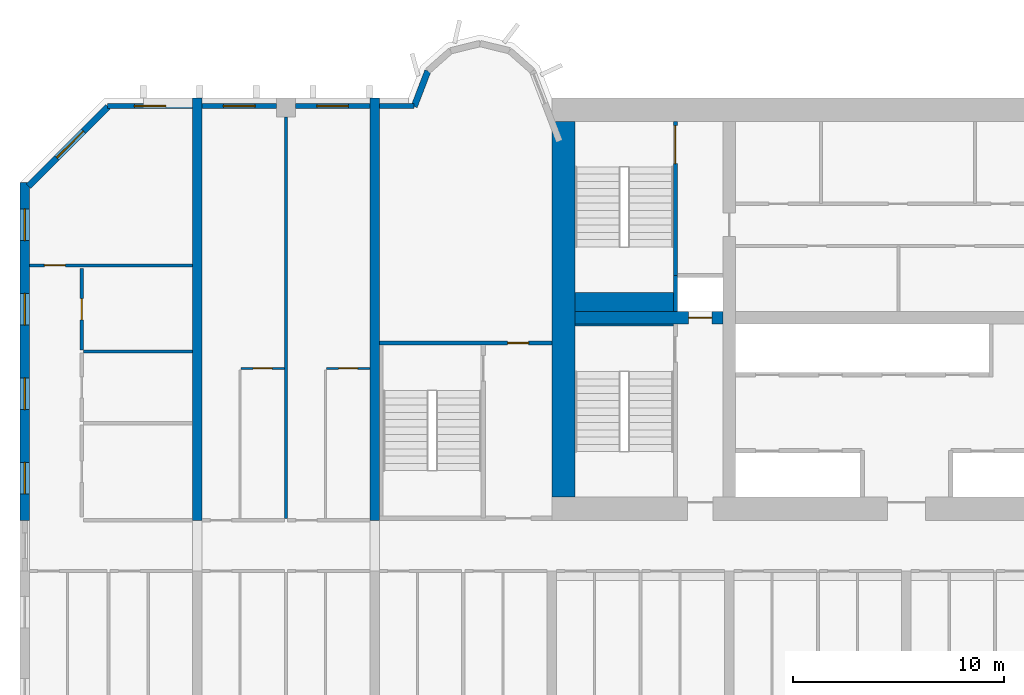
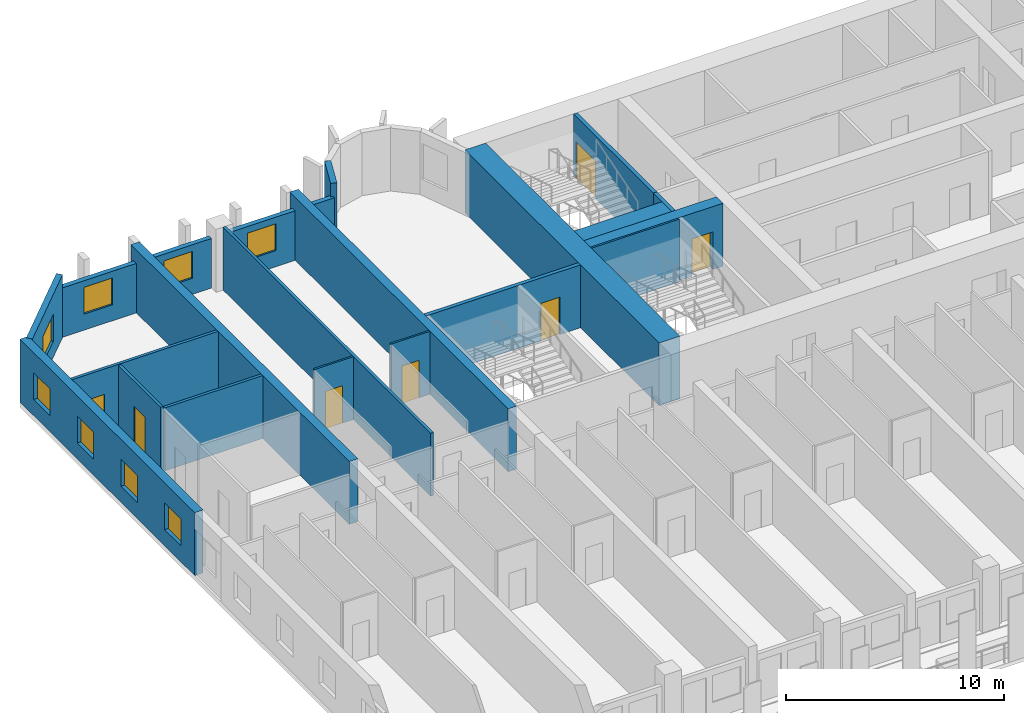
# One storey, part 6 of 15: 22 walls, 8 windows, 7 doors, 15 openings.
"""IFC4 building model written with IfcOpenShell, lengths in metres."""

from ifc_helpers import new_model, si_unit, direction, frame, frame_2d, origin, place, context, subcontext, project, spatial, rectangle, extrude, source, transform, mapped, material, layer, layer_set, type_object, element, fill, save


model = new_model("IFC4")

# Units and contexts
model_context = context("Model", 3, precision=1e-05, world=origin(), true_north=direction((0.0, 1.0)))
body_context = subcontext(model_context, "Body", "Model", "MODEL_VIEW")
ifc_project = project(units=[si_unit("LENGTHUNIT", "METRE"), si_unit("AREAUNIT", "SQUARE_METRE"), si_unit("VOLUMEUNIT", "CUBIC_METRE"), si_unit("PLANEANGLEUNIT", "RADIAN"), si_unit("MASSUNIT", "GRAM", prefix="KILO")], contexts=[model_context])

# Site, building, storey
site_placement = place(None, origin())
site = spatial("IfcSite", under=ifc_project, at=site_placement, CompositionType="ELEMENT")
building_placement = place(site_placement, origin())
building = spatial("IfcBuilding", under=site, at=building_placement, Name="Vanashikhar Sky Hotel", CompositionType="ELEMENT")
storey_placement = place(building_placement, frame((0.0, 0.0, 31.60009765625)))
storey = spatial("IfcBuildingStorey", under=building, at=storey_placement, Name="L06", CompositionType="ELEMENT", Elevation=31.60009765625)

# Wall
ifc_material_1 = material(Name="Concrete M80", Category="concrete")
ifc_layer_1 = layer(ifc_material_1, 1.10009765625)
ifc_layer_set_1 = layer_set([ifc_layer_1], Name="RC core shell wall 1100 Concrete M80")
wall_type_1 = type_object("IfcWallType", Name="RC core shell wall 1100 Concrete M80", PredefinedType="SHEAR", material=ifc_layer_set_1)
shared_shape_1 = source(origin(), body_context, "Body", "SweptSolid", [
    extrude(rectangle(XDim=17.7998046875, YDim=1.10009765625, at=frame_2d((8.89990234375, 0.0))), origin(), (0.0, 0.0, 1.0), 3.52001953125),
])
wall_1_placement = place(storey_placement, frame((25.75, 23.10009765625, 0.0), z_axis=(0.0, 0.0, 1.0), x_axis=(0.0, 1.0, 0.0)))
element("IfcWall", 1, at=wall_1_placement, inside=storey, type_object=wall_type_1, Name="KW-L06-KW", PredefinedType="SHEAR", context=body_context, shape_type="MappedRepresentation", body=[
    mapped(shared_shape_1, transform((0.0, 0.0, 0.0), scale=1.0)),
])

# Wall, opening, door
ifc_layer_2 = layer(ifc_material_1, 0.60009765625)
ifc_layer_set_2 = layer_set([ifc_layer_2], Name="RC core inner wall 600 Concrete M80")
wall_type_2 = type_object("IfcWallType", Name="RC core inner wall 600 Concrete M80", PredefinedType="SHEAR", material=ifc_layer_set_2)
shared_shape_2 = source(origin(), body_context, "Body", "SweptSolid", [
    extrude(rectangle(XDim=7.0, YDim=0.60009765625, at=frame_2d((3.5, 0.0))), origin(), (0.0, 0.0, 1.0), 3.52001953125),
])
wall_2_placement = place(storey_placement, frame((26.300048828125, 31.60009765625, 0.0), z_axis=(0.0, 0.0, 1.0), x_axis=(1.0, 0.0, 0.0)))
wall_2 = element("IfcWall", 2, at=wall_2_placement, inside=storey, type_object=wall_type_2, Name="KW-L06-KY1", PredefinedType="SHEAR", context=body_context, shape_type="MappedRepresentation", body=[
    mapped(shared_shape_2, transform((0.0, 0.0, 0.0), scale=1.0)),
])
shared_shape_3 = source(origin(), body_context, "Body", "SweptSolid", [
    extrude(rectangle(XDim=1.10009765625, YDim=2.10009765625, at=frame_2d((0.550048828125, 1.050048828125))), frame((0.0, 0.31005859375, 0.0), z_axis=(0.0, -1.0, 0.0), x_axis=(1.0, 0.0, 0.0)), (0.0, 0.0, 1.0), 0.6201171875),
])
opening_1_placement = place(wall_2_placement, frame((5.375, 0.0, 0.0)))
opening_1 = element("IfcOpeningElement", 3, at=opening_1_placement, cuts=wall_2, Name="Opening LD", PredefinedType="OPENING", context=body_context, shape_type="MappedRepresentation", body=[
    mapped(shared_shape_3, transform((0.0, 0.0, 0.0), scale=1.0)),
])
ifc_material_2 = material(Name="Stainless steel", Category="steel")
door_type_1 = type_object("IfcDoorType", Name="Lift landing door 1100", OperationType="NOTDEFINED", PredefinedType="DOOR", material=ifc_material_2)
shared_shape_4 = source(origin(), body_context, "Body", "SweptSolid", [
    extrude(rectangle(XDim=1.10009765625, YDim=2.10009765625, at=frame_2d((0.550048828125, 1.050048828125))), frame((0.0, 0.02490234375, 0.0), z_axis=(0.0, -1.0, 0.0), x_axis=(1.0, 0.0, 0.0)), (0.0, 0.0, 1.0), 0.050048828125),
])
door_1_placement = place(opening_1_placement, origin())
door_1 = element("IfcDoor", 4, at=door_1_placement, inside=storey, type_object=door_type_1, Name="Lift landing door 1100", OperationType="SLIDING_TO_RIGHT", OverallHeight=2.10009765625, OverallWidth=1.10009765625, PredefinedType="DOOR", context=body_context, shape_type="MappedRepresentation", body=[
    mapped(shared_shape_4, transform((0.0, 0.0, 0.0), scale=1.0)),
])
fill(opening_1, door_1)

# Wall, openings, windows
ifc_layer_3 = layer(ifc_material_1, 0.449951171875)
ifc_layer_set_3 = layer_set([ifc_layer_3], Name="RC shear wall 450 Concrete M80")
wall_type_3 = type_object("IfcWallType", Name="RC shear wall 450 Concrete M80", PredefinedType="SHEAR", material=ifc_layer_set_3)
shared_shape_5 = source(origin(), body_context, "Body", "SweptSolid", [
    extrude(rectangle(XDim=16.0, YDim=0.449951171875, at=frame_2d((8.0, 0.0))), origin(), (0.0, 0.0, 1.0), 3.52001953125),
])
wall_3_placement = place(storey_placement, frame((0.22509765625, 22.0, 0.0), z_axis=(0.0, 0.0, 1.0), x_axis=(0.0, 1.0, 0.0)))
wall_3 = element("IfcWall", 5, at=wall_3_placement, inside=storey, type_object=wall_type_3, Name="CW-L06-XW01-2", PredefinedType="SHEAR", context=body_context, shape_type="MappedRepresentation", body=[
    mapped(shared_shape_5, transform((0.0, 0.0, 0.0), scale=1.0)),
])
shared_shape_6 = source(origin(), body_context, "Body", "SweptSolid", [
    extrude(rectangle(XDim=1.5, YDim=1.5, at=frame_2d((0.75, 0.75))), frame((0.0, 0.23486328125, 0.0), z_axis=(0.0, -1.0, 0.0), x_axis=(1.0, 0.0, 0.0)), (0.0, 0.0, 1.0), 0.469970703125),
])
opening_2_placement = place(wall_3_placement, frame((1.25, 0.0, 0.89990234375)))
opening_2 = element("IfcOpeningElement", 6, at=opening_2_placement, cuts=wall_3, Name="Opening WN-1", PredefinedType="OPENING", context=body_context, shape_type="MappedRepresentation", body=[
    mapped(shared_shape_6, transform((0.0, 0.0, 0.0), scale=1.0)),
])
opening_3_placement = place(wall_3_placement, frame((5.25, 0.0, 0.89990234375)))
opening_3 = element("IfcOpeningElement", 7, at=opening_3_placement, cuts=wall_3, Name="Opening WN-1", PredefinedType="OPENING", context=body_context, shape_type="MappedRepresentation", body=[
    mapped(shared_shape_6, transform((0.0, 0.0, 0.0), scale=1.0)),
])
opening_4_placement = place(wall_3_placement, frame((9.25, 0.0, 0.89990234375)))
opening_4 = element("IfcOpeningElement", 8, at=opening_4_placement, cuts=wall_3, Name="Opening WN-1", PredefinedType="OPENING", context=body_context, shape_type="MappedRepresentation", body=[
    mapped(shared_shape_6, transform((0.0, 0.0, 0.0), scale=1.0)),
])
opening_5_placement = place(wall_3_placement, frame((13.25, 0.0, 0.89990234375)))
opening_5 = element("IfcOpeningElement", 9, at=opening_5_placement, cuts=wall_3, Name="Opening WN-1", PredefinedType="OPENING", context=body_context, shape_type="MappedRepresentation", body=[
    mapped(shared_shape_6, transform((0.0, 0.0, 0.0), scale=1.0)),
])
ifc_material_3 = material(Name="Glass", Category="glass")
window_type_1 = type_object("IfcWindowType", Name="Window 1500 x 1500", PartitioningType="SINGLE_PANEL", PredefinedType="WINDOW", material=ifc_material_3)
shared_shape_7 = source(origin(), body_context, "Body", "SweptSolid", [
    extrude(rectangle(XDim=1.5, YDim=1.5, at=frame_2d((0.75, 0.75))), frame((0.0, 0.030029296875, 0.0), z_axis=(0.0, -1.0, 0.0), x_axis=(1.0, 0.0, 0.0)), (0.0, 0.0, 1.0), 0.06005859375),
])
window_1_placement = place(opening_2_placement, origin())
window_1 = element("IfcWindow", 10, at=window_1_placement, inside=storey, type_object=window_type_1, Name="Window WN-1", OverallHeight=1.5, OverallWidth=1.5, PartitioningType="SINGLE_PANEL", PredefinedType="WINDOW", context=body_context, shape_type="MappedRepresentation", body=[
    mapped(shared_shape_7, transform((0.0, 0.0, 0.0), scale=1.0)),
])
fill(opening_2, window_1)
window_2_placement = place(opening_3_placement, origin())
window_2 = element("IfcWindow", 11, at=window_2_placement, inside=storey, type_object=window_type_1, Name="Window WN-1", OverallHeight=1.5, OverallWidth=1.5, PartitioningType="SINGLE_PANEL", PredefinedType="WINDOW", context=body_context, shape_type="MappedRepresentation", body=[
    mapped(shared_shape_7, transform((0.0, 0.0, 0.0), scale=1.0)),
])
fill(opening_3, window_2)
window_3_placement = place(opening_4_placement, origin())
window_3 = element("IfcWindow", 12, at=window_3_placement, inside=storey, type_object=window_type_1, Name="Window WN-1", OverallHeight=1.5, OverallWidth=1.5, PartitioningType="SINGLE_PANEL", PredefinedType="WINDOW", context=body_context, shape_type="MappedRepresentation", body=[
    mapped(shared_shape_7, transform((0.0, 0.0, 0.0), scale=1.0)),
])
fill(opening_4, window_3)
window_4_placement = place(opening_5_placement, origin())
window_4 = element("IfcWindow", 13, at=window_4_placement, inside=storey, type_object=window_type_1, Name="Window WN-1", OverallHeight=1.5, OverallWidth=1.5, PartitioningType="SINGLE_PANEL", PredefinedType="WINDOW", context=body_context, shape_type="MappedRepresentation", body=[
    mapped(shared_shape_7, transform((0.0, 0.0, 0.0), scale=1.0)),
])
fill(opening_5, window_4)

# Walls
shared_shape_8 = source(origin(), body_context, "Body", "SweptSolid", [
    extrude(rectangle(XDim=20.0, YDim=0.449951171875, at=frame_2d((10.0, 0.0))), origin(), (0.0, 0.0, 1.0), 3.52001953125),
])
for number, where, z_axis, x_axis, name in (
    (14, (8.39990234375, 22.0, 0.0), (0.0, 0.0, 1.0), (0.0, 1.0, 0.0), "CW-L06-XW02-2"),
    (15, (16.800048828125, 22.0, 0.0), (0.0, 0.0, 1.0), (0.0, 1.0, 0.0), "CW-L06-XW03-2"),
):
    element("IfcWall", number, at=place(storey_placement, frame(where, z_axis=z_axis, x_axis=x_axis)), inside=storey, type_object=wall_type_3, Name=name, PredefinedType="SHEAR", context=body_context, shape_type="MappedRepresentation", body=[
        mapped(shared_shape_8, transform((0.0, 0.0, 0.0), scale=1.0)),
    ])

# Wall, opening, window
ifc_material_4 = material(Name="Concrete M50", Category="concrete")
ifc_layer_4 = layer(ifc_material_4, 0.300048828125)
ifc_layer_set_4 = layer_set([ifc_layer_4], Name="Lobe wall 300")
wall_type_4 = type_object("IfcWallType", Name="Lobe wall 300", PredefinedType="SOLIDWALL", material=ifc_layer_set_4)
shared_shape_9 = source(origin(), body_context, "Body", "SweptSolid", [
    extrude(rectangle(XDim=5.32568359375, YDim=0.300048828125, at=frame_2d((2.662841796875, 0.0))), origin(), (0.0, 0.0, 1.0), 3.52001953125),
])
wall_4_placement = place(storey_placement, frame((4.165771484375, 41.60009765625, 0.0), z_axis=(0.0, 0.0, 1.0), x_axis=(-0.707106781187, -0.707106781187, 0.0)))
wall_4 = element("IfcWall", 16, at=wall_4_placement, inside=storey, type_object=wall_type_4, Name="Corner wall", PredefinedType="SOLIDWALL", context=body_context, shape_type="MappedRepresentation", body=[
    mapped(shared_shape_9, transform((0.0, 0.0, 0.0), scale=1.0)),
])
shared_shape_10 = source(origin(), body_context, "Body", "SweptSolid", [
    extrude(rectangle(XDim=1.800048828125, YDim=1.5, at=frame_2d((0.89990234375, 0.75))), frame((0.0, 0.16015625, 0.0), z_axis=(0.0, -1.0, 0.0), x_axis=(1.0, 0.0, 0.0)), (0.0, 0.0, 1.0), 0.320068359375),
])
opening_6_placement = place(wall_4_placement, frame((1.636474609375, 0.0, 0.89990234375)))
opening_6 = element("IfcOpeningElement", 17, at=opening_6_placement, cuts=wall_4, Name="Opening WN-4", PredefinedType="OPENING", context=body_context, shape_type="MappedRepresentation", body=[
    mapped(shared_shape_10, transform((0.0, 0.0, 0.0), scale=1.0)),
])
window_type_2 = type_object("IfcWindowType", Name="Corner window 1800 x 1500", PartitioningType="SINGLE_PANEL", PredefinedType="WINDOW", material=ifc_material_3)
shared_shape_11 = source(origin(), body_context, "Body", "SweptSolid", [
    extrude(rectangle(XDim=1.800048828125, YDim=1.5, at=frame_2d((0.89990234375, 0.75))), frame((0.0, 0.030029296875, 0.0), z_axis=(0.0, -1.0, 0.0), x_axis=(1.0, 0.0, 0.0)), (0.0, 0.0, 1.0), 0.06005859375),
])
window_5_placement = place(opening_6_placement, origin())
window_5 = element("IfcWindow", 18, at=window_5_placement, inside=storey, type_object=window_type_2, Name="Window WN-4", OverallHeight=1.5, OverallWidth=1.800048828125, PartitioningType="SINGLE_PANEL", PredefinedType="WINDOW", context=body_context, shape_type="MappedRepresentation", body=[
    mapped(shared_shape_11, transform((0.0, 0.0, 0.0), scale=1.0)),
])
fill(opening_6, window_5)

ifc_layer_5 = layer(ifc_material_4, 0.25)
ifc_layer_set_5 = layer_set([ifc_layer_5], Name="Rear and end board-marked wall 250")
wall_type_5 = type_object("IfcWallType", Name="Rear and end board-marked wall 250", PredefinedType="SOLIDWALL", material=ifc_layer_set_5)
shared_shape_12 = source(origin(), body_context, "Body", "SweptSolid", [
    extrude(rectangle(XDim=4.019775390625, YDim=0.25, at=frame_2d((2.009765625, 0.0))), origin(), (0.0, 0.0, 1.0), 2.77001953125),
])
wall_5_placement = place(storey_placement, frame((8.175048828125, 41.625, 0.0), z_axis=(0.0, 0.0, 1.0), x_axis=(-1.0, 0.0, 0.0)))
wall_5 = element("IfcWall", 19, at=wall_5_placement, inside=storey, type_object=wall_type_5, Name="Rear board-marked wall", PredefinedType="SOLIDWALL", context=body_context, shape_type="MappedRepresentation", body=[
    mapped(shared_shape_12, transform((0.0, 0.0, 0.0), scale=1.0)),
])
shared_shape_13 = source(origin(), body_context, "Body", "SweptSolid", [
    extrude(rectangle(XDim=1.5, YDim=1.5, at=frame_2d((0.75, 0.75))), frame((0.0, 0.135009765625, 0.0), z_axis=(0.0, -1.0, 0.0), x_axis=(1.0, 0.0, 0.0)), (0.0, 0.0, 1.0), 0.27001953125),
])
opening_7_placement = place(wall_5_placement, frame((1.260009765625, 0.0, 0.89990234375)))
opening_7 = element("IfcOpeningElement", 20, at=opening_7_placement, cuts=wall_5, Name="Opening WN-1", PredefinedType="OPENING", context=body_context, shape_type="MappedRepresentation", body=[
    mapped(shared_shape_13, transform((0.0, 0.0, 0.0), scale=1.0)),
])
window_6_placement = place(opening_7_placement, origin())
window_6 = element("IfcWindow", 21, at=window_6_placement, inside=storey, type_object=window_type_1, Name="Window WN-1", OverallHeight=1.5, OverallWidth=1.5, PartitioningType="SINGLE_PANEL", PredefinedType="WINDOW", context=body_context, shape_type="MappedRepresentation", body=[
    mapped(shared_shape_7, transform((0.0, 0.0, 0.0), scale=1.0)),
])
fill(opening_7, window_6)

# Wall
shared_shape_14 = source(origin(), body_context, "Body", "SweptSolid", [
    extrude(rectangle(XDim=1.81201171875, YDim=0.300048828125, at=frame_2d((0.906005859375, 0.0))), origin(), (0.0, 0.0, 1.0), 3.52001953125),
])
wall_6_placement = place(storey_placement, frame((19.323486328125, 43.2919921875, 0.0), z_axis=(0.0, 0.0, 1.0), x_axis=(-0.357877270961, -0.93376863244, 0.0)))
element("IfcWall", 22, at=wall_6_placement, inside=storey, type_object=wall_type_4, Name="Lobe wall", PredefinedType="SOLIDWALL", context=body_context, shape_type="MappedRepresentation", body=[
    mapped(shared_shape_14, transform((0.0, 0.0, 0.0), scale=1.0)),
])

# Wall, opening, window
shared_shape_15 = source(origin(), body_context, "Body", "SweptSolid", [
    extrude(rectangle(XDim=3.52490234375, YDim=0.25, at=frame_2d((1.762451171875, 0.0))), origin(), (0.0, 0.0, 1.0), 2.77001953125),
])
wall_7_placement = place(storey_placement, frame((12.14990234375, 41.625, 0.0), z_axis=(0.0, 0.0, 1.0), x_axis=(-1.0, 0.0, 0.0)))
wall_7 = element("IfcWall", 23, at=wall_7_placement, inside=storey, type_object=wall_type_5, Name="Rear board-marked wall", PredefinedType="SOLIDWALL", context=body_context, shape_type="MappedRepresentation", body=[
    mapped(shared_shape_15, transform((0.0, 0.0, 0.0), scale=1.0)),
])
opening_8_placement = place(wall_7_placement, frame((1.012451171875, 0.0, 0.89990234375)))
opening_8 = element("IfcOpeningElement", 24, at=opening_8_placement, cuts=wall_7, Name="Opening WN-1", PredefinedType="OPENING", context=body_context, shape_type="MappedRepresentation", body=[
    mapped(shared_shape_13, transform((0.0, 0.0, 0.0), scale=1.0)),
])
window_7_placement = place(opening_8_placement, origin())
window_7 = element("IfcWindow", 25, at=window_7_placement, inside=storey, type_object=window_type_1, Name="Window WN-1", OverallHeight=1.5, OverallWidth=1.5, PartitioningType="SINGLE_PANEL", PredefinedType="WINDOW", context=body_context, shape_type="MappedRepresentation", body=[
    mapped(shared_shape_7, transform((0.0, 0.0, 0.0), scale=1.0)),
])
fill(opening_8, window_7)

wall_8_placement = place(storey_placement, frame((16.574951171875, 41.625, 0.0), z_axis=(0.0, 0.0, 1.0), x_axis=(-1.0, 0.0, 0.0)))
wall_8 = element("IfcWall", 26, at=wall_8_placement, inside=storey, type_object=wall_type_5, Name="Rear board-marked wall", PredefinedType="SOLIDWALL", context=body_context, shape_type="MappedRepresentation", body=[
    mapped(shared_shape_15, transform((0.0, 0.0, 0.0), scale=1.0)),
])
opening_9_placement = place(wall_8_placement, frame((1.012451171875, 0.0, 0.89990234375)))
opening_9 = element("IfcOpeningElement", 27, at=opening_9_placement, cuts=wall_8, Name="Opening WN-1", PredefinedType="OPENING", context=body_context, shape_type="MappedRepresentation", body=[
    mapped(shared_shape_13, transform((0.0, 0.0, 0.0), scale=1.0)),
])
window_8_placement = place(opening_9_placement, origin())
window_8 = element("IfcWindow", 28, at=window_8_placement, inside=storey, type_object=window_type_1, Name="Window WN-1", OverallHeight=1.5, OverallWidth=1.5, PartitioningType="SINGLE_PANEL", PredefinedType="WINDOW", context=body_context, shape_type="MappedRepresentation", body=[
    mapped(shared_shape_7, transform((0.0, 0.0, 0.0), scale=1.0)),
])
fill(opening_9, window_8)

# Walls
shared_shape_16 = source(origin(), body_context, "Body", "SweptSolid", [
    extrude(rectangle(XDim=1.633056640625, YDim=0.25, at=frame_2d((0.81640625, 0.0))), origin(), (0.0, 0.0, 1.0), 2.77001953125),
])
wall_9_placement = place(storey_placement, frame((18.657958984375, 41.625, 0.0), z_axis=(0.0, 0.0, 1.0), x_axis=(-1.0, 0.0, 0.0)))
element("IfcWall", 29, at=wall_9_placement, inside=storey, type_object=wall_type_5, Name="Rear board-marked wall", PredefinedType="SOLIDWALL", context=body_context, shape_type="MappedRepresentation", body=[
    mapped(shared_shape_16, transform((0.0, 0.0, 0.0), scale=1.0)),
])
ifc_material_5 = material(Name="Concrete M40", Category="concrete")
ifc_layer_6 = layer(ifc_material_5, 0.199951171875)
ifc_layer_set_6 = layer_set([ifc_layer_6], Name="Shaft wall 200")
wall_type_6 = type_object("IfcWallType", Name="Shaft wall 200", PredefinedType="SOLIDWALL", material=ifc_layer_set_6)
shared_shape_17 = source(origin(), body_context, "Body", "SweptSolid", [
    extrude(rectangle(XDim=1.7001953125, YDim=0.199951171875, at=frame_2d((0.85009765625, 0.0))), origin(), (0.0, 0.0, 1.0), 3.52001953125),
])
wall_10_placement = place(storey_placement, frame((31.050048828125, 31.89990234375, 0.0), z_axis=(0.0, 0.0, 1.0), x_axis=(0.0, 1.0, 0.0)))
element("IfcWall", 30, at=wall_10_placement, inside=storey, type_object=wall_type_6, Name="Shaft wall 200", PredefinedType="SOLIDWALL", context=body_context, shape_type="MappedRepresentation", body=[
    mapped(shared_shape_17, transform((0.0, 0.0, 0.0), scale=1.0)),
])

# Wall, opening, door
ifc_layer_7 = layer(ifc_material_4, 0.199951171875)
ifc_layer_set_7 = layer_set([ifc_layer_7], Name="Stair wall 200")
wall_type_7 = type_object("IfcWallType", Name="Stair wall 200", PredefinedType="SOLIDWALL", material=ifc_layer_set_7)
shared_shape_18 = source(origin(), body_context, "Body", "SweptSolid", [
    extrude(rectangle(XDim=7.2998046875, YDim=0.199951171875, at=frame_2d((3.64990234375, 0.0))), origin(), (0.0, 0.0, 1.0), 3.52001953125),
])
wall_11_placement = place(storey_placement, frame((31.050048828125, 33.60009765625, 0.0), z_axis=(0.0, 0.0, 1.0), x_axis=(0.0, 1.0, 0.0)))
wall_11 = element("IfcWall", 31, at=wall_11_placement, inside=storey, type_object=wall_type_7, Name="Stair wall 200", PredefinedType="SOLIDWALL", context=body_context, shape_type="MappedRepresentation", body=[
    mapped(shared_shape_18, transform((0.0, 0.0, 0.0), scale=1.0)),
])
shared_shape_19 = source(origin(), body_context, "Body", "SweptSolid", [
    extrude(rectangle(XDim=1.800048828125, YDim=2.10009765625, at=frame_2d((0.89990234375, 1.050048828125))), frame((0.0, 0.10986328125, 0.0), z_axis=(0.0, -1.0, 0.0), x_axis=(1.0, 0.0, 0.0)), (0.0, 0.0, 1.0), 0.219970703125),
])
opening_10_placement = place(wall_11_placement, frame((5.300048828125, 0.0, 0.0)))
opening_10 = element("IfcOpeningElement", 32, at=opening_10_placement, cuts=wall_11, Name="Opening DC-1-A", PredefinedType="OPENING", context=body_context, shape_type="MappedRepresentation", body=[
    mapped(shared_shape_19, transform((0.0, 0.0, 0.0), scale=1.0)),
])
ifc_material_6 = material(Name="Steel", Category="steel")
door_type_2 = type_object("IfcDoorType", Name="Stair door 1800 FD120", OperationType="NOTDEFINED", PredefinedType="DOOR", material=ifc_material_6)
shared_shape_20 = source(origin(), body_context, "Body", "SweptSolid", [
    extrude(rectangle(XDim=1.800048828125, YDim=2.10009765625, at=frame_2d((0.89990234375, 1.050048828125))), frame((0.0, 0.02490234375, 0.0), z_axis=(0.0, -1.0, 0.0), x_axis=(1.0, 0.0, 0.0)), (0.0, 0.0, 1.0), 0.050048828125),
])
door_2_placement = place(opening_10_placement, origin())
door_2 = element("IfcDoor", 33, at=door_2_placement, inside=storey, type_object=door_type_2, Name="Stair door 1800 FD120", OperationType="SINGLE_SWING_LEFT", OverallHeight=2.10009765625, OverallWidth=1.800048828125, PredefinedType="DOOR", context=body_context, shape_type="MappedRepresentation", body=[
    mapped(shared_shape_20, transform((0.0, 0.0, 0.0), scale=1.0)),
])
fill(opening_10, door_2)

shared_shape_21 = source(origin(), body_context, "Body", "SweptSolid", [
    extrude(rectangle(XDim=8.175048828125, YDim=0.199951171875, at=frame_2d((4.08740234375, 0.0))), origin(), (0.0, 0.0, 1.0), 3.52001953125),
])
wall_12_placement = place(storey_placement, frame((17.02490234375, 30.39990234375, 0.0), z_axis=(0.0, 0.0, 1.0), x_axis=(1.0, 0.0, 0.0)))
wall_12 = element("IfcWall", 34, at=wall_12_placement, inside=storey, type_object=wall_type_7, Name="Stair wall 200", PredefinedType="SOLIDWALL", context=body_context, shape_type="MappedRepresentation", body=[
    mapped(shared_shape_21, transform((0.0, 0.0, 0.0), scale=1.0)),
])
shared_shape_22 = source(origin(), body_context, "Body", "SweptSolid", [
    extrude(rectangle(XDim=1.0, YDim=2.10009765625, at=frame_2d((0.5, 1.050048828125))), frame((0.0, 0.10986328125, 0.0), z_axis=(0.0, -1.0, 0.0), x_axis=(1.0, 0.0, 0.0)), (0.0, 0.0, 1.0), 0.219970703125),
])
opening_11_placement = place(wall_12_placement, frame((6.074951171875, 0.0, 0.0)))
opening_11 = element("IfcOpeningElement", 35, at=opening_11_placement, cuts=wall_12, Name="Opening DC-6", PredefinedType="OPENING", context=body_context, shape_type="MappedRepresentation", body=[
    mapped(shared_shape_22, transform((0.0, 0.0, 0.0), scale=1.0)),
])
door_type_3 = type_object("IfcDoorType", Name="Pocket door 1000 FD60", OperationType="NOTDEFINED", PredefinedType="DOOR", material=ifc_material_6)
shared_shape_23 = source(origin(), body_context, "Body", "SweptSolid", [
    extrude(rectangle(XDim=1.0, YDim=2.10009765625, at=frame_2d((0.5, 1.050048828125))), frame((0.0, 0.02490234375, 0.0), z_axis=(0.0, -1.0, 0.0), x_axis=(1.0, 0.0, 0.0)), (0.0, 0.0, 1.0), 0.050048828125),
])
door_3_placement = place(opening_11_placement, origin())
door_3 = element("IfcDoor", 36, at=door_3_placement, inside=storey, type_object=door_type_3, Name="Pocket door 1000 FD60", OperationType="SINGLE_SWING_LEFT", OverallHeight=2.10009765625, OverallWidth=1.0, PredefinedType="DOOR", context=body_context, shape_type="MappedRepresentation", body=[
    mapped(shared_shape_23, transform((0.0, 0.0, 0.0), scale=1.0)),
])
fill(opening_11, door_3)

# Walls
ifc_layer_8 = layer(ifc_material_4, 0.10009765625)
ifc_layer_set_8 = layer_set([ifc_layer_8], Name="Stair infill wall 100")
wall_type_8 = type_object("IfcWallType", Name="Stair infill wall 100", PredefinedType="SOLIDWALL", material=ifc_layer_set_8)
shared_shape_24 = source(origin(), body_context, "Body", "SweptSolid", [
    extrude(rectangle(XDim=4.64990234375, YDim=0.10009765625, at=frame_2d((2.324951171875, 0.0))), origin(), (0.0, 0.0, 1.0), 3.52001953125),
])
wall_13_placement = place(storey_placement, frame((26.300048828125, 31.25, 0.0), z_axis=(0.0, 0.0, 1.0), x_axis=(1.0, 0.0, 0.0)))
element("IfcWall", 37, at=wall_13_placement, inside=storey, type_object=wall_type_8, Name="Stair infill wall 100", PredefinedType="SOLIDWALL", context=body_context, shape_type="MappedRepresentation", body=[
    mapped(shared_shape_24, transform((0.0, 0.0, 0.0), scale=1.0)),
])
ifc_layer_9 = layer(ifc_material_4, 0.89990234375)
ifc_layer_set_9 = layer_set([ifc_layer_9], Name="Stair infill wall 900")
wall_type_9 = type_object("IfcWallType", Name="Stair infill wall 900", PredefinedType="SOLIDWALL", material=ifc_layer_set_9)
shared_shape_25 = source(origin(), body_context, "Body", "SweptSolid", [
    extrude(rectangle(XDim=4.64990234375, YDim=0.89990234375, at=frame_2d((2.324951171875, 0.0))), origin(), (0.0, 0.0, 1.0), 3.52001953125),
])
wall_14_placement = place(storey_placement, frame((26.300048828125, 32.35009765625, 0.0), z_axis=(0.0, 0.0, 1.0), x_axis=(1.0, 0.0, 0.0)))
element("IfcWall", 38, at=wall_14_placement, inside=storey, type_object=wall_type_9, Name="Stair infill wall 900", PredefinedType="SOLIDWALL", context=body_context, shape_type="MappedRepresentation", body=[
    mapped(shared_shape_25, transform((0.0, 0.0, 0.0), scale=1.0)),
])

# Wall, opening, door
ifc_material_7 = material(Name="Gypsum plasterboard partition")
ifc_layer_10 = layer(ifc_material_7, 0.10009765625)
ifc_layer_set_10 = layer_set([ifc_layer_10], Name="Wet room partition 100")
wall_type_10 = type_object("IfcWallType", Name="Wet room partition 100", PredefinedType="PARTITIONING", material=ifc_layer_set_10)
shared_shape_26 = source(origin(), body_context, "Body", "SweptSolid", [
    extrude(rectangle(XDim=2.050048828125, YDim=0.10009765625, at=frame_2d((1.02490234375, 0.0))), origin(), (0.0, 0.0, 1.0), 3.52001953125),
])
wall_15_placement = place(storey_placement, frame((14.52490234375, 29.199951171875, 0.0), z_axis=(0.0, 0.0, 1.0), x_axis=(1.0, 0.0, 0.0)))
wall_15 = element("IfcWall", 39, at=wall_15_placement, inside=storey, type_object=wall_type_10, Name="W-L06-PW098", PredefinedType="PARTITIONING", context=body_context, shape_type="MappedRepresentation", body=[
    mapped(shared_shape_26, transform((0.0, 0.0, 0.0), scale=1.0)),
])
shared_shape_27 = source(origin(), body_context, "Body", "SweptSolid", [
    extrude(rectangle(XDim=0.89990234375, YDim=2.10009765625, at=frame_2d((0.449951171875, 1.050048828125))), frame((0.0, 0.06005859375, 0.0), z_axis=(0.0, -1.0, 0.0), x_axis=(1.0, 0.0, 0.0)), (0.0, 0.0, 1.0), 0.1201171875),
])
opening_12_placement = place(wall_15_placement, frame((0.574951171875, 0.0, 0.0)))
opening_12 = element("IfcOpeningElement", 40, at=opening_12_placement, cuts=wall_15, Name="Opening D-02", PredefinedType="OPENING", context=body_context, shape_type="MappedRepresentation", body=[
    mapped(shared_shape_27, transform((0.0, 0.0, 0.0), scale=1.0)),
])
ifc_material_8 = material(Name="Timber door", Category="wood")
door_type_4 = type_object("IfcDoorType", Name="Internal door 900", OperationType="NOTDEFINED", PredefinedType="DOOR", material=ifc_material_8)
shared_shape_28 = source(origin(), body_context, "Body", "SweptSolid", [
    extrude(rectangle(XDim=0.89990234375, YDim=2.10009765625, at=frame_2d((0.449951171875, 1.050048828125))), frame((0.0, 0.02490234375, 0.0), z_axis=(0.0, -1.0, 0.0), x_axis=(1.0, 0.0, 0.0)), (0.0, 0.0, 1.0), 0.050048828125),
])
door_4_placement = place(opening_12_placement, origin())
door_4 = element("IfcDoor", 41, at=door_4_placement, inside=storey, type_object=door_type_4, Name="D-L06-055", OperationType="SINGLE_SWING_LEFT", OverallHeight=2.10009765625, OverallWidth=0.89990234375, PredefinedType="DOOR", context=body_context, shape_type="MappedRepresentation", body=[
    mapped(shared_shape_28, transform((0.0, 0.0, 0.0), scale=1.0)),
])
fill(opening_12, door_4)

shared_shape_29 = source(origin(), body_context, "Body", "SweptSolid", [
    extrude(rectangle(XDim=2.0498046875, YDim=0.10009765625, at=frame_2d((1.02490234375, 0.0))), origin(), (0.0, 0.0, 1.0), 3.52001953125),
])
wall_16_placement = place(storey_placement, frame((10.47509765625, 29.199951171875, 0.0), z_axis=(0.0, 0.0, 1.0), x_axis=(1.0, 0.0, 0.0)))
wall_16 = element("IfcWall", 42, at=wall_16_placement, inside=storey, type_object=wall_type_10, Name="W-L06-PW095", PredefinedType="PARTITIONING", context=body_context, shape_type="MappedRepresentation", body=[
    mapped(shared_shape_29, transform((0.0, 0.0, 0.0), scale=1.0)),
])
opening_13_placement = place(wall_16_placement, frame((0.574951171875, 0.0, 0.0)))
opening_13 = element("IfcOpeningElement", 43, at=opening_13_placement, cuts=wall_16, Name="Opening D-02", PredefinedType="OPENING", context=body_context, shape_type="MappedRepresentation", body=[
    mapped(shared_shape_27, transform((0.0, 0.0, 0.0), scale=1.0)),
])
door_5_placement = place(opening_13_placement, origin())
door_5 = element("IfcDoor", 44, at=door_5_placement, inside=storey, type_object=door_type_4, Name="D-L06-053", OperationType="SINGLE_SWING_LEFT", OverallHeight=2.10009765625, OverallWidth=0.89990234375, PredefinedType="DOOR", context=body_context, shape_type="MappedRepresentation", body=[
    mapped(shared_shape_28, transform((0.0, 0.0, 0.0), scale=1.0)),
])
fill(opening_13, door_5)

# Wall
ifc_layer_11 = layer(ifc_material_7, 0.14990234375)
ifc_layer_set_11 = layer_set([ifc_layer_11], Name="Corridor and demising partition 150")
wall_type_11 = type_object("IfcWallType", Name="Corridor and demising partition 150", PredefinedType="PARTITIONING", material=ifc_layer_set_11)
shared_shape_30 = source(origin(), body_context, "Body", "SweptSolid", [
    extrude(rectangle(XDim=5.175048828125, YDim=0.14990234375, at=frame_2d((2.58740234375, 0.0))), origin(), (0.0, 0.0, 1.0), 3.52001953125),
])
wall_17_placement = place(storey_placement, frame((3.0, 30.0, 0.0), z_axis=(0.0, 0.0, 1.0), x_axis=(1.0, 0.0, 0.0)))
element("IfcWall", 45, at=wall_17_placement, inside=storey, type_object=wall_type_11, Name="W-L06-PW091", PredefinedType="PARTITIONING", context=body_context, shape_type="MappedRepresentation", body=[
    mapped(shared_shape_30, transform((0.0, 0.0, 0.0), scale=1.0)),
])

# Wall, opening, door
shared_shape_31 = source(origin(), body_context, "Body", "SweptSolid", [
    extrude(rectangle(XDim=3.85009765625, YDim=0.14990234375, at=frame_2d((1.925048828125, 0.0))), origin(), (0.0, 0.0, 1.0), 3.52001953125),
])
wall_18_placement = place(storey_placement, frame((2.925048828125, 30.074951171875, 0.0), z_axis=(0.0, 0.0, 1.0), x_axis=(0.0, 1.0, 0.0)))
wall_18 = element("IfcWall", 46, at=wall_18_placement, inside=storey, type_object=wall_type_11, Name="W-L06-PW092", PredefinedType="PARTITIONING", context=body_context, shape_type="MappedRepresentation", body=[
    mapped(shared_shape_31, transform((0.0, 0.0, 0.0), scale=1.0)),
])
shared_shape_32 = source(origin(), body_context, "Body", "SweptSolid", [
    extrude(rectangle(XDim=1.0, YDim=2.10009765625, at=frame_2d((0.5, 1.050048828125))), frame((0.0, 0.0849609375, 0.0), z_axis=(0.0, -1.0, 0.0), x_axis=(1.0, 0.0, 0.0)), (0.0, 0.0, 1.0), 0.169921875),
])
opening_14_placement = place(wall_18_placement, frame((1.425048828125, 0.0, 0.0)))
opening_14 = element("IfcOpeningElement", 47, at=opening_14_placement, cuts=wall_18, Name="Opening D-01", PredefinedType="OPENING", context=body_context, shape_type="MappedRepresentation", body=[
    mapped(shared_shape_32, transform((0.0, 0.0, 0.0), scale=1.0)),
])
ifc_material_9 = material(Name="Timber fire door", Category="wood")
door_type_5 = type_object("IfcDoorType", Name="Guest entry door 1000 FD30S", OperationType="NOTDEFINED", PredefinedType="DOOR", material=ifc_material_9)
door_6_placement = place(opening_14_placement, origin())
door_6 = element("IfcDoor", 48, at=door_6_placement, inside=storey, type_object=door_type_5, Name="D-L06-051", OperationType="SINGLE_SWING_LEFT", OverallHeight=2.10009765625, OverallWidth=1.0, PredefinedType="DOOR", context=body_context, shape_type="MappedRepresentation", body=[
    mapped(shared_shape_23, transform((0.0, 0.0, 0.0), scale=1.0)),
])
fill(opening_14, door_6)

shared_shape_33 = source(origin(), body_context, "Body", "SweptSolid", [
    extrude(rectangle(XDim=7.72509765625, YDim=0.14990234375, at=frame_2d((3.862548828125, 0.0))), origin(), (0.0, 0.0, 1.0), 3.52001953125),
])
wall_19_placement = place(storey_placement, frame((0.449951171875, 34.074951171875, 0.0), z_axis=(0.0, 0.0, 1.0), x_axis=(1.0, 0.0, 0.0)))
wall_19 = element("IfcWall", 49, at=wall_19_placement, inside=storey, type_object=wall_type_11, Name="W-L06-PW093", PredefinedType="PARTITIONING", context=body_context, shape_type="MappedRepresentation", body=[
    mapped(shared_shape_33, transform((0.0, 0.0, 0.0), scale=1.0)),
])
opening_15_placement = place(wall_19_placement, frame((0.699951171875, 0.0, 0.0)))
opening_15 = element("IfcOpeningElement", 50, at=opening_15_placement, cuts=wall_19, Name="Opening D-01", PredefinedType="OPENING", context=body_context, shape_type="MappedRepresentation", body=[
    mapped(shared_shape_32, transform((0.0, 0.0, 0.0), scale=1.0)),
])
door_7_placement = place(opening_15_placement, origin())
door_7 = element("IfcDoor", 51, at=door_7_placement, inside=storey, type_object=door_type_5, Name="D-L06-052", OperationType="SINGLE_SWING_LEFT", OverallHeight=2.10009765625, OverallWidth=1.0, PredefinedType="DOOR", context=body_context, shape_type="MappedRepresentation", body=[
    mapped(shared_shape_23, transform((0.0, 0.0, 0.0), scale=1.0)),
])
fill(opening_15, door_7)

# Wall
shared_shape_34 = source(origin(), body_context, "Body", "SweptSolid", [
    extrude(rectangle(XDim=19.025146484375, YDim=0.14990234375, at=frame_2d((9.5126953125, 0.0))), origin(), (0.0, 0.0, 1.0), 3.52001953125),
])
wall_20_placement = place(storey_placement, frame((12.60009765625, 22.074951171875, 0.0), z_axis=(0.0, 0.0, 1.0), x_axis=(0.0, 1.0, 0.0)))
element("IfcWall", 52, at=wall_20_placement, inside=storey, type_object=wall_type_11, Name="W-L06-PW100", PredefinedType="PARTITIONING", context=body_context, shape_type="MappedRepresentation", body=[
    mapped(shared_shape_34, transform((0.0, 0.0, 0.0), scale=1.0)),
])

save(model, "model.ifc")
